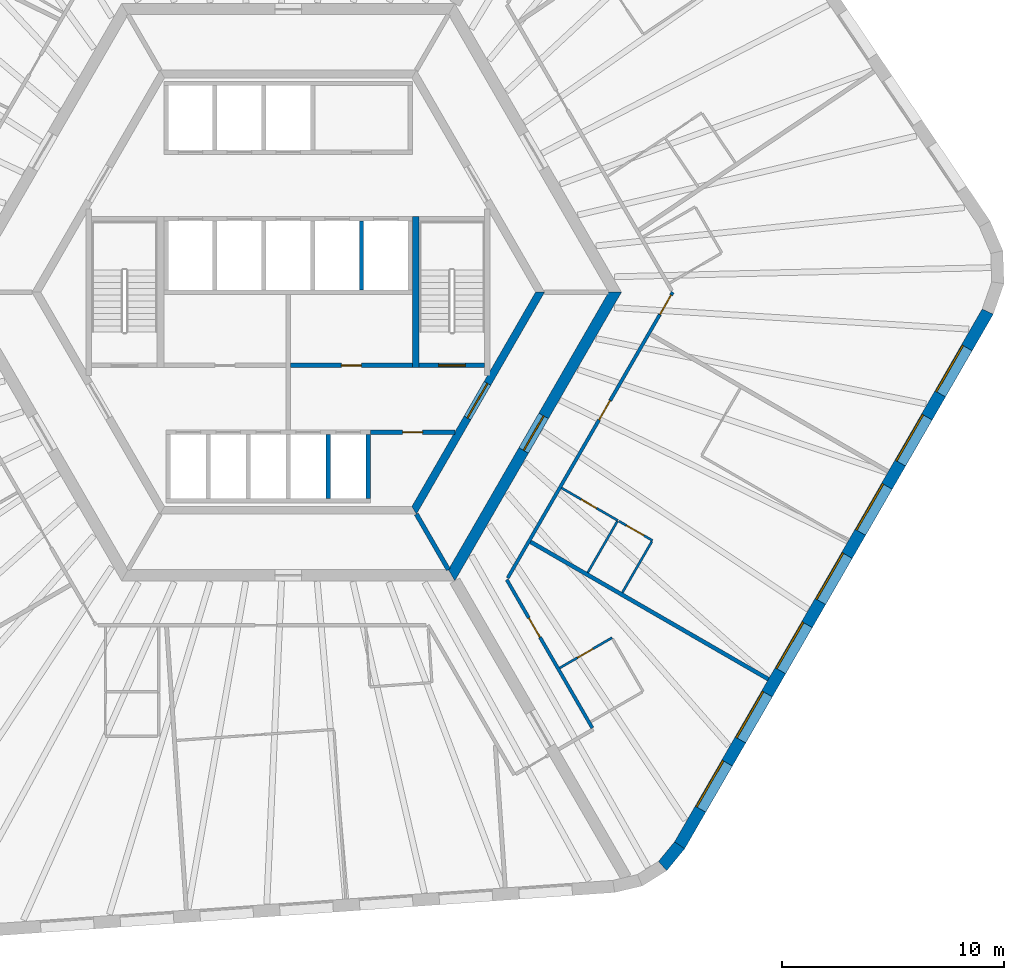
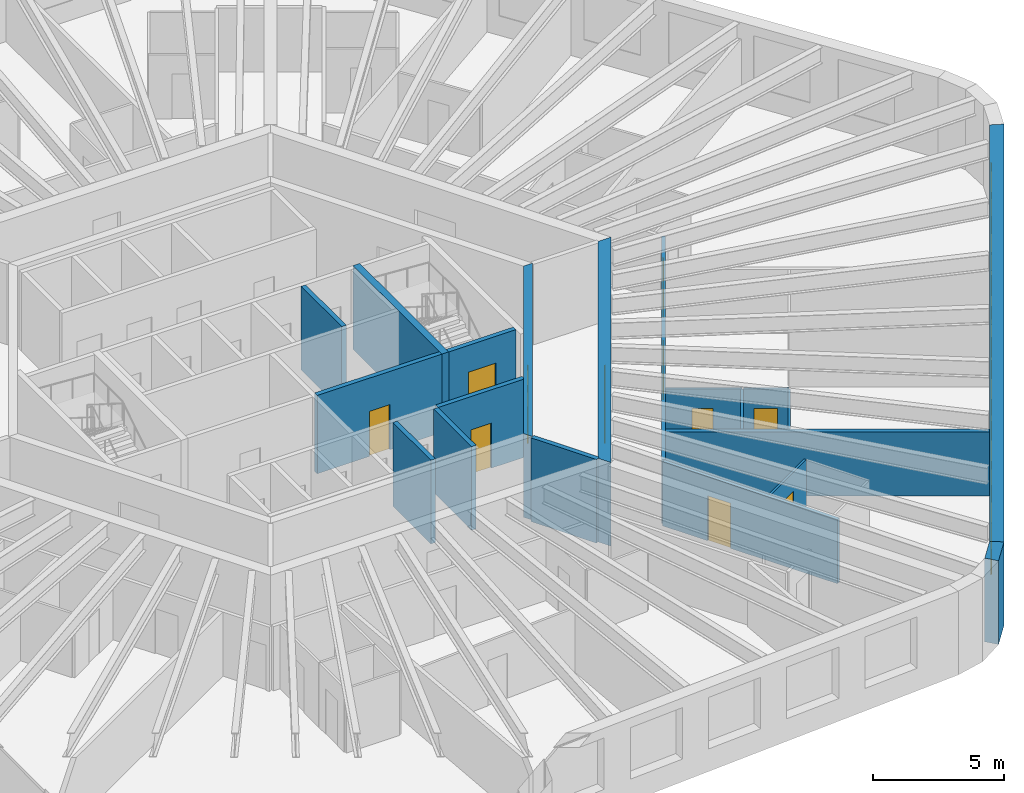
# One storey, part 5 of 10: 20 walls, 11 doors, 7 windows, 18 openings.
"""IFC4 building model written with IfcOpenShell, lengths in metres."""

from ifc_helpers import new_model, si_unit, direction, frame, frame_2d, origin, place, context, subcontext, project, spatial, polyline, rectangle, outline, extrude, material, layer, layer_set, type_object, element, fill, save


model = new_model("IFC4")

# Units and contexts
model_context = context("Model", 3, precision=1e-05, world=origin(), true_north=direction((0.0, 1.0)))
body_context = subcontext(model_context, "Body", "Model", "MODEL_VIEW")
ifc_project = project(units=[si_unit("LENGTHUNIT", "METRE"), si_unit("AREAUNIT", "SQUARE_METRE"), si_unit("VOLUMEUNIT", "CUBIC_METRE"), si_unit("PLANEANGLEUNIT", "RADIAN"), si_unit("MASSUNIT", "GRAM", prefix="KILO")], contexts=[model_context])

# Site, building, storey
site_placement = place(None, origin())
site = spatial("IfcSite", under=ifc_project, at=site_placement, CompositionType="ELEMENT")
building_placement = place(site_placement, origin())
building = spatial("IfcBuilding", under=site, at=building_placement, Name="Tarnside Tower", CompositionType="ELEMENT")
storey_placement = place(building_placement, frame((0.0, 0.0, 191.699951171875)))
storey = spatial("IfcBuildingStorey", under=building, at=storey_placement, Name="L45", CompositionType="ELEMENT", Elevation=191.699951171875)

# Wall, opening, door
ifc_material_1 = material(Name="Gypsum board partition on steel studs", Category="steel")
ifc_layer_1 = layer(ifc_material_1, 0.10009765625)
ifc_layer_set_1 = layer_set([ifc_layer_1], Name="Bathroom wall 100")
wall_type_1 = type_object("IfcWallType", Name="Bathroom wall 100", PredefinedType="PARTITIONING", material=ifc_layer_set_1)
wall_1_placement = place(storey_placement, frame((12.226806640625, -16.927490234375, 0.0), z_axis=(0.0, 0.0, 1.0), x_axis=(0.866012511928, 0.500022328685, 0.0)))
wall_1 = element("IfcWall", 1, at=wall_1_placement, inside=storey, type_object=wall_type_1, Name="Bathroom wall 14100", PredefinedType="PARTITIONING", context=body_context, shape_type="SweptSolid", body=[
    extrude(rectangle(XDim=2.72509765625, YDim=0.10009765625, at=frame_2d((1.362548828125, 0.0))), origin(), (0.0, 0.0, 1.0), 2.98779296875),
])
opening_1_placement = place(wall_1_placement, frame((0.925048828125, 0.0, 0.0)))
opening_1 = element("IfcOpeningElement", 2, at=opening_1_placement, cuts=wall_1, Name="Opening D-B1", PredefinedType="OPENING", context=body_context, shape_type="SweptSolid", body=[
    extrude(rectangle(XDim=0.800048828125, YDim=2.10009765625, at=frame_2d((0.39990234375, 1.050048828125))), frame((0.0, 0.06005859375, 0.0), z_axis=(0.0, -1.0, 0.0), x_axis=(1.0, 0.0, 0.0)), (0.0, 0.0, 1.0), 0.1201171875),
])
ifc_material_2 = material(Name="Timber door leaf", Category="wood")
door_type_1 = type_object("IfcDoorType", Name="Bathroom door 800", OperationType="NOTDEFINED", PredefinedType="DOOR", material=ifc_material_2)
door_1_placement = place(opening_1_placement, origin())
door_1 = element("IfcDoor", 3, at=door_1_placement, inside=storey, type_object=door_type_1, Name="Bathroom door 14026", OperationType="SINGLE_SWING_RIGHT", OverallHeight=2.10009765625, OverallWidth=0.800048828125, PredefinedType="DOOR", context=body_context, shape_type="SweptSolid", body=[
    extrude(rectangle(XDim=0.800048828125, YDim=2.10009765625, at=frame_2d((0.39990234375, 1.050048828125))), frame((0.0, 0.02490234375, 0.0), z_axis=(0.0, -1.0, 0.0), x_axis=(1.0, 0.0, 0.0)), (0.0, 0.0, 1.0), 0.050048828125),
])
fill(opening_1, door_1)

wall_2_placement = place(storey_placement, frame((12.314208984375, -8.821044921875, 0.0), z_axis=(0.0, 0.0, 1.0), x_axis=(0.866046596414, -0.499963291492, 0.0)))
wall_2 = element("IfcWall", 4, at=wall_2_placement, inside=storey, type_object=wall_type_1, Name="Bathroom wall 14106", PredefinedType="PARTITIONING", context=body_context, shape_type="SweptSolid", body=[
    extrude(rectangle(XDim=2.925048828125, YDim=0.10009765625, at=frame_2d((1.46240234375, 0.0))), origin(), (0.0, 0.0, 1.0), 2.98779296875),
])
opening_2_placement = place(wall_2_placement, frame((1.02490234375, 0.0, 0.0)))
opening_2 = element("IfcOpeningElement", 5, at=opening_2_placement, cuts=wall_2, Name="Opening D-B1", PredefinedType="OPENING", context=body_context, shape_type="SweptSolid", body=[
    extrude(rectangle(XDim=0.800048828125, YDim=2.10009765625, at=frame_2d((0.39990234375, 1.050048828125))), frame((0.0, 0.06005859375, 0.0), z_axis=(0.0, -1.0, 0.0), x_axis=(1.0, 0.0, 0.0)), (0.0, 0.0, 1.0), 0.1201171875),
])
door_2_placement = place(opening_2_placement, origin())
door_2 = element("IfcDoor", 6, at=door_2_placement, inside=storey, type_object=door_type_1, Name="Bathroom door 14028", OperationType="SINGLE_SWING_RIGHT", OverallHeight=2.10009765625, OverallWidth=0.800048828125, PredefinedType="DOOR", context=body_context, shape_type="SweptSolid", body=[
    extrude(rectangle(XDim=0.800048828125, YDim=2.10009765625, at=frame_2d((0.39990234375, 1.050048828125))), frame((0.0, 0.02490234375, 0.0), z_axis=(0.0, -1.0, 0.0), x_axis=(1.0, 0.0, 0.0)), (0.0, 0.0, 1.0), 0.050048828125),
])
fill(opening_2, door_2)

# Wall
wall_3_placement = place(storey_placement, frame((13.492431640625, -12.63037109375, 0.0), z_axis=(0.0, 0.0, 1.0), x_axis=(0.50004820116, 0.865997573043, 0.0)))
element("IfcWall", 7, at=wall_3_placement, inside=storey, type_object=wall_type_1, Name="Bathroom wall 14112", PredefinedType="PARTITIONING", context=body_context, shape_type="SweptSolid", body=[
    extrude(rectangle(XDim=2.659912109375, YDim=0.10009765625, at=frame_2d((1.330078125, 0.0))), origin(), (0.0, 0.0, 1.0), 2.98779296875),
])

# Wall, opening, door
ifc_material_3 = material(Name="Concrete C50/60", Category="concrete")
ifc_layer_2 = layer(ifc_material_3, 0.35009765625)
ifc_layer_set_2 = layer_set([ifc_layer_2], Name="Core block wall 350 C50/60")
wall_type_2 = type_object("IfcWallType", Name="Core block wall 350 C50/60", PredefinedType="SHEAR", material=ifc_layer_set_2)
wall_4_placement = place(storey_placement, frame((5.672607421875, -9.824951171875, -0.14990234375), z_axis=(0.0, 0.0, 1.0), x_axis=(0.499995046907, 0.866028263435, 0.0)))
wall_4 = element("IfcWall", 8, at=wall_4_placement, inside=storey, type_object=wall_type_2, Name="L45 core block wall face 5", PredefinedType="SHEAR", context=body_context, shape_type="SweptSolid", body=[
    extrude(outline(polyline([(-0.10107421875, -0.175048828125), (11.44580078125, -0.175048828125), (11.24365234375, 0.175048828125), (0.10107421875, 0.175048828125), (-0.10107421875, -0.175048828125)])), origin(), (0.0, 0.0, 1.0), 3.89990234375),
])
opening_3_placement = place(wall_4_placement, frame((4.80126953125, 0.0, 0.14990234375)))
opening_3 = element("IfcOpeningElement", 9, at=opening_3_placement, cuts=wall_4, Name="Opening CD-FFL", PredefinedType="OPENING", context=body_context, shape_type="SweptSolid", body=[
    extrude(rectangle(XDim=1.800048828125, YDim=2.39990234375, at=frame_2d((0.89990234375, 1.199951171875))), frame((0.0, 0.18505859375, 0.0), z_axis=(0.0, -1.0, 0.0), x_axis=(1.0, 0.0, 0.0)), (0.0, 0.0, 1.0), 0.3701171875),
])
ifc_material_4 = material(Name="Steel fire door", Category="steel")
door_type_2 = type_object("IfcDoorType", Name="Firefighting lobby double door FD60S 1800x2400", OperationType="NOTDEFINED", PredefinedType="DOOR", material=ifc_material_4)
door_3_placement = place(opening_3_placement, origin())
door_3 = element("IfcDoor", 10, at=door_3_placement, inside=storey, type_object=door_type_2, Name="L45 lobby block door P4", OperationType="DOUBLE_DOOR_SINGLE_SWING", OverallHeight=2.39990234375, OverallWidth=1.800048828125, PredefinedType="DOOR", context=body_context, shape_type="SweptSolid", body=[
    extrude(rectangle(XDim=1.800048828125, YDim=2.39990234375, at=frame_2d((0.89990234375, 1.199951171875))), frame((0.0, 0.02490234375, 0.0), z_axis=(0.0, -1.0, 0.0), x_axis=(1.0, 0.0, 0.0)), (0.0, 0.0, 1.0), 0.050048828125),
])
fill(opening_3, door_3)

ifc_material_5 = material(Name="Concrete C40/50", Category="concrete")
ifc_layer_3 = layer(ifc_material_5, 0.199951171875)
ifc_layer_set_3 = layer_set([ifc_layer_3], Name="Core room partition 200 C40/50")
wall_type_3 = type_object("IfcWallType", Name="Core room partition 200 C40/50", PredefinedType="PARTITIONING", material=ifc_layer_set_3)
wall_5_placement = place(storey_placement, frame((0.10009765625, -3.300048828125, 0.0), z_axis=(0.0, 0.0, 1.0), x_axis=(1.0, 0.0, 0.0)))
wall_5 = element("IfcWall", 11, at=wall_5_placement, inside=storey, type_object=wall_type_3, Name="L45 core partition R3S1", PredefinedType="PARTITIONING", context=body_context, shape_type="SweptSolid", body=[
    extrude(rectangle(XDim=5.5, YDim=0.199951171875, at=frame_2d((2.75, 0.0))), origin(), (0.0, 0.0, 1.0), 3.650146484375),
])
opening_4_placement = place(wall_5_placement, frame((2.300048828125, 0.0, 0.0)))
opening_4 = element("IfcOpeningElement", 12, at=opening_4_placement, cuts=wall_5, Name="Opening CD-room", PredefinedType="OPENING", context=body_context, shape_type="SweptSolid", body=[
    extrude(rectangle(XDim=0.89990234375, YDim=2.10009765625, at=frame_2d((0.449951171875, 1.050048828125))), frame((0.0, 0.10986328125, 0.0), z_axis=(0.0, -1.0, 0.0), x_axis=(1.0, 0.0, 0.0)), (0.0, 0.0, 1.0), 0.219970703125),
])
door_type_3 = type_object("IfcDoorType", Name="Room door FD60 900x2100", OperationType="NOTDEFINED", PredefinedType="DOOR", material=ifc_material_4)
door_4_placement = place(opening_4_placement, origin())
door_4 = element("IfcDoor", 13, at=door_4_placement, inside=storey, type_object=door_type_3, Name="L45 core room door SR1", OperationType="SINGLE_SWING_LEFT", OverallHeight=2.10009765625, OverallWidth=0.89990234375, PredefinedType="DOOR", context=body_context, shape_type="SweptSolid", body=[
    extrude(rectangle(XDim=0.89990234375, YDim=2.10009765625, at=frame_2d((0.449951171875, 1.050048828125))), frame((0.0, 0.02490234375, 0.0), z_axis=(0.0, -1.0, 0.0), x_axis=(1.0, 0.0, 0.0)), (0.0, 0.0, 1.0), 0.050048828125),
])
fill(opening_4, door_4)

wall_6_placement = place(storey_placement, frame((3.699951171875, -6.300048828125, 0.0), z_axis=(0.0, 0.0, 1.0), x_axis=(1.0, 0.0, 0.0)))
wall_6 = element("IfcWall", 14, at=wall_6_placement, inside=storey, type_object=wall_type_3, Name="L45 core partition R4X", PredefinedType="PARTITIONING", context=body_context, shape_type="SweptSolid", body=[
    extrude(rectangle(XDim=3.8056640625, YDim=0.199951171875, at=frame_2d((1.90283203125, 0.0))), origin(), (0.0, 0.0, 1.0), 3.650146484375),
])
opening_5_placement = place(wall_6_placement, frame((1.452880859375, 0.0, 0.0)))
opening_5 = element("IfcOpeningElement", 15, at=opening_5_placement, cuts=wall_6, Name="Opening CD-room", PredefinedType="OPENING", context=body_context, shape_type="SweptSolid", body=[
    extrude(rectangle(XDim=0.89990234375, YDim=2.10009765625, at=frame_2d((0.449951171875, 1.050048828125))), frame((0.0, 0.10986328125, 0.0), z_axis=(0.0, -1.0, 0.0), x_axis=(1.0, 0.0, 0.0)), (0.0, 0.0, 1.0), 0.219970703125),
])
door_5_placement = place(opening_5_placement, origin())
door_5 = element("IfcDoor", 16, at=door_5_placement, inside=storey, type_object=door_type_3, Name="L45 core room door RX", OperationType="SINGLE_SWING_LEFT", OverallHeight=2.10009765625, OverallWidth=0.89990234375, PredefinedType="DOOR", context=body_context, shape_type="SweptSolid", body=[
    extrude(rectangle(XDim=0.89990234375, YDim=2.10009765625, at=frame_2d((0.449951171875, 1.050048828125))), frame((0.0, 0.02490234375, 0.0), z_axis=(0.0, -1.0, 0.0), x_axis=(1.0, 0.0, 0.0)), (0.0, 0.0, 1.0), 0.050048828125),
])
fill(opening_5, door_5)

ifc_material_6 = material(Name="Concrete C70/85", Category="concrete")
ifc_layer_4 = layer(ifc_material_6, 0.5)
ifc_layer_set_4 = layer_set([ifc_layer_4], Name="Core wall Z2 500 C70/85")
wall_type_4 = type_object("IfcWallType", Name="Core wall Z2 500 C70/85", PredefinedType="SHEAR", material=ifc_layer_set_4)
wall_7_placement = place(storey_placement, frame((7.361083984375, -12.75, -0.14990234375), z_axis=(0.0, 0.0, 1.0), x_axis=(0.50000571537, 0.866022103989, 0.0)))
wall_7 = element("IfcWall", 17, at=wall_7_placement, inside=storey, type_object=wall_type_4, Name="L45 core wall face 5", PredefinedType="SHEAR", context=body_context, shape_type="SweptSolid", body=[
    extrude(outline(polyline([(-0.144287109375, -0.25), (14.86669921875, -0.25), (14.578125, 0.25), (0.144287109375, 0.25), (-0.144287109375, -0.25)])), origin(), (0.0, 0.0, 1.0), 3.89990234375),
])
opening_6_placement = place(wall_7_placement, frame((6.489990234375, 0.0, 0.14990234375)))
opening_6 = element("IfcOpeningElement", 18, at=opening_6_placement, cuts=wall_7, Name="Opening CD-FFL", PredefinedType="OPENING", context=body_context, shape_type="SweptSolid", body=[
    extrude(rectangle(XDim=1.800048828125, YDim=2.39990234375, at=frame_2d((0.89990234375, 1.199951171875))), frame((0.0, 0.260009765625, 0.0), z_axis=(0.0, -1.0, 0.0), x_axis=(1.0, 0.0, 0.0)), (0.0, 0.0, 1.0), 0.52001953125),
])
door_6_placement = place(opening_6_placement, origin())
door_6 = element("IfcDoor", 19, at=door_6_placement, inside=storey, type_object=door_type_2, Name="L45 core door P4", OperationType="DOUBLE_DOOR_SINGLE_SWING", OverallHeight=2.39990234375, OverallWidth=1.800048828125, PredefinedType="DOOR", context=body_context, shape_type="SweptSolid", body=[
    extrude(rectangle(XDim=1.800048828125, YDim=2.39990234375, at=frame_2d((0.89990234375, 1.199951171875))), frame((0.0, 0.02490234375, 0.0), z_axis=(0.0, -1.0, 0.0), x_axis=(1.0, 0.0, 0.0)), (0.0, 0.0, 1.0), 0.050048828125),
])
fill(opening_6, door_6)

ifc_layer_5 = layer(ifc_material_1, 0.14990234375)
ifc_layer_set_5 = layer_set([ifc_layer_5], Name="Corridor wall 150 EI 60")
wall_type_5 = type_object("IfcWallType", Name="Corridor wall 150 EI 60", PredefinedType="PARTITIONING", material=ifc_layer_set_5)
wall_8_placement = place(storey_placement, frame((13.69921875, -19.6279296875, 0.0), z_axis=(0.0, 0.0, 1.0), x_axis=(-0.499993780622, 0.866028994514, 0.0)))
wall_8 = element("IfcWall", 20, at=wall_8_placement, inside=storey, type_object=wall_type_5, Name="Corridor wall 14035", PredefinedType="PARTITIONING", context=body_context, shape_type="SweptSolid", body=[
    extrude(rectangle(XDim=7.7109375, YDim=0.14990234375, at=frame_2d((3.85546875, 0.0))), origin(), (0.0, 0.0, 1.0), 2.98779296875),
])
opening_7_placement = place(wall_8_placement, frame((4.718017578125, 0.0, 0.0)))
opening_7 = element("IfcOpeningElement", 21, at=opening_7_placement, cuts=wall_8, Name="Opening D-E1", PredefinedType="OPENING", context=body_context, shape_type="SweptSolid", body=[
    extrude(rectangle(XDim=1.0, YDim=2.10009765625, at=frame_2d((0.5, 1.050048828125))), frame((0.0, 0.0849609375, 0.0), z_axis=(0.0, -1.0, 0.0), x_axis=(1.0, 0.0, 0.0)), (0.0, 0.0, 1.0), 0.169921875),
])
door_type_4 = type_object("IfcDoorType", Name="Unit entrance door 1000 FD30S", OperationType="NOTDEFINED", PredefinedType="DOOR", material=ifc_material_2)
door_7_placement = place(opening_7_placement, origin())
door_7 = element("IfcDoor", 22, at=door_7_placement, inside=storey, type_object=door_type_4, Name="Unit door 14025", OperationType="SINGLE_SWING_LEFT", OverallHeight=2.10009765625, OverallWidth=1.0, PredefinedType="DOOR", context=body_context, shape_type="SweptSolid", body=[
    extrude(rectangle(XDim=1.0, YDim=2.10009765625, at=frame_2d((0.5, 1.050048828125))), frame((0.0, 0.02490234375, 0.0), z_axis=(0.0, -1.0, 0.0), x_axis=(1.0, 0.0, 0.0)), (0.0, 0.0, 1.0), 0.050048828125),
])
fill(opening_7, door_7)

# Wall, openings, doors
wall_9_placement = place(storey_placement, frame((9.88720703125, -12.875, 0.0), z_axis=(0.0, 0.0, 1.0), x_axis=(0.499998228944, 0.866026426302, 0.0)))
wall_9 = element("IfcWall", 23, at=wall_9_placement, inside=storey, type_object=wall_type_5, Name="Corridor wall 14036", PredefinedType="PARTITIONING", context=body_context, shape_type="SweptSolid", body=[
    extrude(rectangle(XDim=14.86669921875, YDim=0.14990234375, at=frame_2d((7.433349609375, 0.0))), origin(), (0.0, 0.0, 1.0), 2.98779296875),
])
opening_8_placement = place(wall_9_placement, frame((8.224365234375, 0.0, 0.0)))
opening_8 = element("IfcOpeningElement", 24, at=opening_8_placement, cuts=wall_9, Name="Opening D-E1", PredefinedType="OPENING", context=body_context, shape_type="SweptSolid", body=[
    extrude(rectangle(XDim=1.0, YDim=2.10009765625, at=frame_2d((0.5, 1.050048828125))), frame((0.0, 0.0849609375, 0.0), z_axis=(0.0, -1.0, 0.0), x_axis=(1.0, 0.0, 0.0)), (0.0, 0.0, 1.0), 0.169921875),
])
opening_9_placement = place(wall_9_placement, frame((13.716796875, 0.0, 0.0)))
opening_9 = element("IfcOpeningElement", 25, at=opening_9_placement, cuts=wall_9, Name="Opening D-E1", PredefinedType="OPENING", context=body_context, shape_type="SweptSolid", body=[
    extrude(rectangle(XDim=1.0, YDim=2.10009765625, at=frame_2d((0.5, 1.050048828125))), frame((0.0, 0.0849609375, 0.0), z_axis=(0.0, -1.0, 0.0), x_axis=(1.0, 0.0, 0.0)), (0.0, 0.0, 1.0), 0.169921875),
])
door_8_placement = place(opening_8_placement, origin())
door_8 = element("IfcDoor", 26, at=door_8_placement, inside=storey, type_object=door_type_4, Name="Unit door 14027", OperationType="SINGLE_SWING_LEFT", OverallHeight=2.10009765625, OverallWidth=1.0, PredefinedType="DOOR", context=body_context, shape_type="SweptSolid", body=[
    extrude(rectangle(XDim=1.0, YDim=2.10009765625, at=frame_2d((0.5, 1.050048828125))), frame((0.0, 0.02490234375, 0.0), z_axis=(0.0, -1.0, 0.0), x_axis=(1.0, 0.0, 0.0)), (0.0, 0.0, 1.0), 0.050048828125),
])
fill(opening_8, door_8)
door_9_placement = place(opening_9_placement, origin())
door_9 = element("IfcDoor", 27, at=door_9_placement, inside=storey, type_object=door_type_4, Name="Unit door 14031", OperationType="SINGLE_SWING_LEFT", OverallHeight=2.10009765625, OverallWidth=1.0, PredefinedType="DOOR", context=body_context, shape_type="SweptSolid", body=[
    extrude(rectangle(XDim=1.0, YDim=2.10009765625, at=frame_2d((0.5, 1.050048828125))), frame((0.0, 0.02490234375, 0.0), z_axis=(0.0, -1.0, 0.0), x_axis=(1.0, 0.0, 0.0)), (0.0, 0.0, 1.0), 0.050048828125),
])
fill(opening_9, door_9)

# Walls
ifc_layer_6 = layer(ifc_material_1, 0.179931640625)
ifc_layer_set_6 = layer_set([ifc_layer_6], Name="Demising wall 180 EI 60")
wall_type_6 = type_object("IfcWallType", Name="Demising wall 180 EI 60", PredefinedType="PARTITIONING", material=ifc_layer_set_6)
wall_10_placement = place(storey_placement, frame((21.63134765625, -17.433349609375, 0.0), z_axis=(0.0, 0.0, 1.0), x_axis=(-0.866024931941, 0.500000817256, 0.0)))
element("IfcWall", 28, at=wall_10_placement, inside=storey, type_object=wall_type_6, Name="Demising wall 14103", PredefinedType="PARTITIONING", context=body_context, shape_type="SweptSolid", body=[
    extrude(rectangle(XDim=12.375, YDim=0.179931640625, at=frame_2d((6.1875, 0.0))), origin(), (0.0, 0.0, 1.0), 2.98779296875),
])
ifc_layer_7 = layer(ifc_material_5, 0.199951171875)
ifc_layer_set_7 = layer_set([ifc_layer_7], Name="Lift shaft wall 200 C40/50")
wall_type_7 = type_object("IfcWallType", Name="Lift shaft wall 200 C40/50", PredefinedType="SHEAR", material=ifc_layer_set_7)
wall_11_placement = place(storey_placement, frame((3.300048828125, 0.10009765625, -0.25), z_axis=(0.0, 0.0, 1.0), x_axis=(0.0, 1.0, 0.0)))
element("IfcWall", 29, at=wall_11_placement, inside=storey, type_object=wall_type_7, Name="L45 lift shaft partition R25", PredefinedType="SHEAR", context=body_context, shape_type="SweptSolid", body=[
    extrude(rectangle(XDim=3.099853515625, YDim=0.199951171875, at=frame_2d((1.5498046875, 0.0))), origin(), (0.0, 0.0, 1.0), 3.900146484375),
])
for number, where, z_axis, x_axis, name in (
    (30, (1.800048828125, -9.300048828125, -0.25), (0.0, 0.0, 1.0), (0.0, 1.0, 0.0), "L45 lift shaft partition R45"),
    (31, (3.60009765625, -9.300048828125, -0.25), (0.0, 0.0, 1.0), (0.0, 1.0, 0.0), "L45 lift shaft partition R46"),
):
    element("IfcWall", number, at=place(storey_placement, frame(where, z_axis=z_axis, x_axis=x_axis)), inside=storey, type_object=wall_type_7, Name=name, PredefinedType="SHEAR", context=body_context, shape_type="SweptSolid", body=[
        extrude(rectangle(XDim=2.900146484375, YDim=0.199951171875, at=frame_2d((1.4501953125, 0.0))), origin(), (0.0, 0.0, 1.0), 3.900146484375),
    ])
wall_12_placement = place(storey_placement, frame((5.7734375, -10.0, -0.14990234375), z_axis=(0.0, 0.0, 1.0), x_axis=(0.499995765644, -0.866027848477, 0.0)))
element("IfcWall", 32, at=wall_12_placement, inside=storey, type_object=wall_type_7, Name="L45 core partition AR300", PredefinedType="SHEAR", context=body_context, shape_type="SweptSolid", body=[
    extrude(rectangle(XDim=2.88671875, YDim=0.199951171875, at=frame_2d((1.443359375, 0.0))), origin(), (0.0, 0.0, 1.0), 3.89990234375),
])

# Wall, opening, door
wall_13_placement = place(storey_placement, frame((5.89990234375, -3.300048828125, -0.25), z_axis=(0.0, 0.0, 1.0), x_axis=(1.0, 0.0, 0.0)))
wall_13 = element("IfcWall", 33, at=wall_13_placement, inside=storey, type_object=wall_type_7, Name="L45 stair 1 enclosure cap wall s", PredefinedType="SHEAR", context=body_context, shape_type="SweptSolid", body=[
    extrude(rectangle(XDim=2.9501953125, YDim=0.199951171875, at=frame_2d((1.47509765625, 0.0))), origin(), (0.0, 0.0, 1.0), 3.900146484375),
])
opening_10_placement = place(wall_13_placement, frame((0.875, 0.0, 0.25)))
opening_10 = element("IfcOpeningElement", 34, at=opening_10_placement, cuts=wall_13, Name="Opening CD-STR", PredefinedType="OPENING", context=body_context, shape_type="SweptSolid", body=[
    extrude(rectangle(XDim=1.199951171875, YDim=2.39990234375, at=frame_2d((0.60009765625, 1.199951171875))), frame((0.0, 0.10986328125, 0.0), z_axis=(0.0, -1.0, 0.0), x_axis=(1.0, 0.0, 0.0)), (0.0, 0.0, 1.0), 0.219970703125),
])
door_type_5 = type_object("IfcDoorType", Name="Stair door FD60S 1200x2400", OperationType="NOTDEFINED", PredefinedType="DOOR", material=ifc_material_4)
door_10_placement = place(opening_10_placement, origin())
door_10 = element("IfcDoor", 35, at=door_10_placement, inside=storey, type_object=door_type_5, Name="L45 stair 1 door", OperationType="SINGLE_SWING_LEFT", OverallHeight=2.39990234375, OverallWidth=1.199951171875, PredefinedType="DOOR", context=body_context, shape_type="SweptSolid", body=[
    extrude(rectangle(XDim=1.199951171875, YDim=2.39990234375, at=frame_2d((0.60009765625, 1.199951171875))), frame((0.0, 0.02490234375, 0.0), z_axis=(0.0, -1.0, 0.0), x_axis=(1.0, 0.0, 0.0)), (0.0, 0.0, 1.0), 0.050048828125),
])
fill(opening_10, door_10)

ifc_layer_8 = layer(ifc_material_1, 0.10009765625)
ifc_layer_set_8 = layer_set([ifc_layer_8], Name="Partition 100")
wall_type_8 = type_object("IfcWallType", Name="Partition 100", PredefinedType="PARTITIONING", material=ifc_layer_set_8)
wall_14_placement = place(storey_placement, frame((14.890625, -10.30859375, 0.0), z_axis=(0.0, 0.0, 1.0), x_axis=(0.866036909293, -0.499980071345, 0.0)))
wall_14 = element("IfcWall", 36, at=wall_14_placement, inside=storey, type_object=wall_type_8, Name="Partition wall 14107", PredefinedType="PARTITIONING", context=body_context, shape_type="SweptSolid", body=[
    extrude(rectangle(XDim=1.75, YDim=0.10009765625, at=frame_2d((0.875, 0.0))), origin(), (0.0, 0.0, 1.0), 2.98779296875),
])
opening_11_placement = place(wall_14_placement, frame((0.39990234375, 0.0, 0.0)))
opening_11 = element("IfcOpeningElement", 37, at=opening_11_placement, cuts=wall_14, Name="Opening D-I1", PredefinedType="OPENING", context=body_context, shape_type="SweptSolid", body=[
    extrude(rectangle(XDim=0.89990234375, YDim=2.10009765625, at=frame_2d((0.449951171875, 1.050048828125))), frame((0.0, 0.06005859375, 0.0), z_axis=(0.0, -1.0, 0.0), x_axis=(1.0, 0.0, 0.0)), (0.0, 0.0, 1.0), 0.1201171875),
])
door_type_6 = type_object("IfcDoorType", Name="Internal door 900", OperationType="NOTDEFINED", PredefinedType="DOOR", material=ifc_material_2)
door_11_placement = place(opening_11_placement, origin())
door_11 = element("IfcDoor", 38, at=door_11_placement, inside=storey, type_object=door_type_6, Name="Internal door 14029", OperationType="SINGLE_SWING_RIGHT", OverallHeight=2.10009765625, OverallWidth=0.89990234375, PredefinedType="DOOR", context=body_context, shape_type="SweptSolid", body=[
    extrude(rectangle(XDim=0.89990234375, YDim=2.10009765625, at=frame_2d((0.449951171875, 1.050048828125))), frame((0.0, 0.02490234375, 0.0), z_axis=(0.0, -1.0, 0.0), x_axis=(1.0, 0.0, 0.0)), (0.0, 0.0, 1.0), 0.050048828125),
])
fill(opening_11, door_11)

# Walls
wall_15_placement = place(storey_placement, frame((16.38134765625, -11.226806640625, 0.0), z_axis=(0.0, 0.0, 1.0), x_axis=(-0.500008456887, -0.866020521143, 0.0)))
element("IfcWall", 39, at=wall_15_placement, inside=storey, type_object=wall_type_8, Name="Partition wall 14108", PredefinedType="PARTITIONING", context=body_context, shape_type="SweptSolid", body=[
    extrude(rectangle(XDim=2.66015625, YDim=0.10009765625, at=frame_2d((1.330078125, 0.0))), origin(), (0.0, 0.0, 1.0), 2.98779296875),
])
ifc_layer_9 = layer(ifc_material_5, 0.300048828125)
ifc_layer_set_9 = layer_set([ifc_layer_9], Name="Stair enclosure wall 300 C40/50")
wall_type_9 = type_object("IfcWallType", Name="Stair enclosure wall 300 C40/50", PredefinedType="SHEAR", material=ifc_layer_set_9)
wall_16_placement = place(storey_placement, frame((5.75, -3.39990234375, -0.25), z_axis=(0.0, 0.0, 1.0), x_axis=(0.0, 1.0, 0.0)))
element("IfcWall", 40, at=wall_16_placement, inside=storey, type_object=wall_type_9, Name="L45 stair 1 enclosure wall inner", PredefinedType="SHEAR", context=body_context, shape_type="SweptSolid", body=[
    extrude(rectangle(XDim=6.7998046875, YDim=0.300048828125, at=frame_2d((3.39990234375, 0.0))), origin(), (0.0, 0.0, 1.0), 3.900146484375),
])
ifc_material_7 = material(Name="Facing brick", Category="masonry")
ifc_layer_10 = layer(ifc_material_7, 0.10205078125)
ifc_material_8 = material(Name="Concrete C60/75 precast", Category="concrete")
ifc_layer_11 = layer(ifc_material_8, 0.347900390625)
ifc_material_9 = material(Name="Mineral wool insulation")
ifc_layer_12 = layer(ifc_material_9, 0.10009765625)
ifc_layer_set_10 = layer_set([ifc_layer_10, ifc_layer_11, ifc_layer_12], Name="Tube wall 550 brick faced")
wall_type_10 = type_object("IfcWallType", Name="Tube wall 550 brick faced", PredefinedType="SOLIDWALL", material=ifc_layer_set_10)
wall_17_placement = place(storey_placement, frame((16.8642578125, -25.848388671875, -0.14990234375), z_axis=(0.0, 0.0, 1.0), x_axis=(0.633842757806, 0.773461930787, 0.0)))
element("IfcWall", 41, at=wall_17_placement, inside=storey, type_object=wall_type_10, Name="Tube wall L45 F4 chord 15", PredefinedType="SOLIDWALL", context=body_context, shape_type="SweptSolid", body=[
    extrude(outline(polyline([(-0.045166015625, -0.27490234375), (1.230712890625, -0.27490234375), (1.185791015625, 0.27490234375), (0.045166015625, 0.27490234375), (-0.045166015625, -0.27490234375)])), origin(), (0.0, 0.0, 1.0), 3.89990234375),
])

# Wall, openings, windows
wall_18_placement = place(storey_placement, frame((17.630126953125, -24.913818359375, -0.14990234375), z_axis=(0.0, 0.0, 1.0), x_axis=(0.499998569178, 0.866026229868, 0.0)))
wall_18 = element("IfcWall", 42, at=wall_18_placement, inside=storey, type_object=wall_type_10, Name="Tube wall L45 F5 flush 16", PredefinedType="SOLIDWALL", context=body_context, shape_type="SweptSolid", body=[
    extrude(outline(polyline([(-0.0224609375, -0.27490234375), (27.783447265625, -0.27490234375), (27.732177734375, 0.27490234375), (0.0224609375, 0.27490234375), (-0.0224609375, -0.27490234375)])), origin(), (0.0, 0.0, 1.0), 3.89990234375),
])
opening_12_placement = place(wall_18_placement, frame((1.87890625, 0.0, 1.050048828125)))
opening_12 = element("IfcOpeningElement", 43, at=opening_12_placement, cuts=wall_18, Name="Opening WH", PredefinedType="OPENING", context=body_context, shape_type="SweptSolid", body=[
    extrude(rectangle(XDim=2.39990234375, YDim=2.39990234375, at=frame_2d((1.199951171875, 1.199951171875))), frame((0.0, 0.28515625, 0.0), z_axis=(0.0, -1.0, 0.0), x_axis=(1.0, 0.0, 0.0)), (0.0, 0.0, 1.0), 0.570068359375),
])
opening_13_placement = place(wall_18_placement, frame((5.47900390625, 0.0, 1.050048828125)))
opening_13 = element("IfcOpeningElement", 44, at=opening_13_placement, cuts=wall_18, Name="Opening WH", PredefinedType="OPENING", context=body_context, shape_type="SweptSolid", body=[
    extrude(rectangle(XDim=2.39990234375, YDim=2.39990234375, at=frame_2d((1.199951171875, 1.199951171875))), frame((0.0, 0.28515625, 0.0), z_axis=(0.0, -1.0, 0.0), x_axis=(1.0, 0.0, 0.0)), (0.0, 0.0, 1.0), 0.570068359375),
])
opening_14_placement = place(wall_18_placement, frame((9.078857421875, 0.0, 1.050048828125)))
opening_14 = element("IfcOpeningElement", 45, at=opening_14_placement, cuts=wall_18, Name="Opening WH", PredefinedType="OPENING", context=body_context, shape_type="SweptSolid", body=[
    extrude(rectangle(XDim=2.39990234375, YDim=2.39990234375, at=frame_2d((1.199951171875, 1.199951171875))), frame((0.0, 0.28515625, 0.0), z_axis=(0.0, -1.0, 0.0), x_axis=(1.0, 0.0, 0.0)), (0.0, 0.0, 1.0), 0.570068359375),
])
opening_15_placement = place(wall_18_placement, frame((12.678955078125, 0.0, 1.050048828125)))
opening_15 = element("IfcOpeningElement", 46, at=opening_15_placement, cuts=wall_18, Name="Opening WH", PredefinedType="OPENING", context=body_context, shape_type="SweptSolid", body=[
    extrude(rectangle(XDim=2.39990234375, YDim=2.39990234375, at=frame_2d((1.199951171875, 1.199951171875))), frame((0.0, 0.28515625, 0.0), z_axis=(0.0, -1.0, 0.0), x_axis=(1.0, 0.0, 0.0)), (0.0, 0.0, 1.0), 0.570068359375),
])
opening_16_placement = place(wall_18_placement, frame((16.27880859375, 0.0, 1.050048828125)))
opening_16 = element("IfcOpeningElement", 47, at=opening_16_placement, cuts=wall_18, Name="Opening WH", PredefinedType="OPENING", context=body_context, shape_type="SweptSolid", body=[
    extrude(rectangle(XDim=2.39990234375, YDim=2.39990234375, at=frame_2d((1.199951171875, 1.199951171875))), frame((0.0, 0.28515625, 0.0), z_axis=(0.0, -1.0, 0.0), x_axis=(1.0, 0.0, 0.0)), (0.0, 0.0, 1.0), 0.570068359375),
])
opening_17_placement = place(wall_18_placement, frame((19.87890625, 0.0, 1.050048828125)))
opening_17 = element("IfcOpeningElement", 48, at=opening_17_placement, cuts=wall_18, Name="Opening WH", PredefinedType="OPENING", context=body_context, shape_type="SweptSolid", body=[
    extrude(rectangle(XDim=2.39990234375, YDim=2.39990234375, at=frame_2d((1.199951171875, 1.199951171875))), frame((0.0, 0.28515625, 0.0), z_axis=(0.0, -1.0, 0.0), x_axis=(1.0, 0.0, 0.0)), (0.0, 0.0, 1.0), 0.570068359375),
])
opening_18_placement = place(wall_18_placement, frame((23.47900390625, 0.0, 1.050048828125)))
opening_18 = element("IfcOpeningElement", 49, at=opening_18_placement, cuts=wall_18, Name="Opening WH", PredefinedType="OPENING", context=body_context, shape_type="SweptSolid", body=[
    extrude(rectangle(XDim=2.39990234375, YDim=2.39990234375, at=frame_2d((1.199951171875, 1.199951171875))), frame((0.0, 0.28515625, 0.0), z_axis=(0.0, -1.0, 0.0), x_axis=(1.0, 0.0, 0.0)), (0.0, 0.0, 1.0), 0.570068359375),
])
ifc_material_10 = material(Name="Aluminium-framed double glazing", Category="aluminium")
window_type = type_object("IfcWindowType", Name="Hotel window 2400 x 2400", PartitioningType="DOUBLE_PANEL_VERTICAL", PredefinedType="WINDOW", material=ifc_material_10)
window_1_placement = place(opening_12_placement, frame((0.0, 0.205078125, 0.0)))
window_1 = element("IfcWindow", 50, at=window_1_placement, inside=storey, type_object=window_type, Name="E.WN.L45.F5.00", OverallHeight=2.39990234375, OverallWidth=2.39990234375, PartitioningType="DOUBLE_PANEL_VERTICAL", PredefinedType="WINDOW", context=body_context, shape_type="SweptSolid", body=[
    extrude(rectangle(XDim=2.39990234375, YDim=2.39990234375, at=frame_2d((1.199951171875, 1.199951171875))), frame((0.0, 0.030029296875, 0.0), z_axis=(0.0, -1.0, 0.0), x_axis=(1.0, 0.0, 0.0)), (0.0, 0.0, 1.0), 0.06005859375),
])
fill(opening_12, window_1)
window_2_placement = place(opening_13_placement, frame((0.0, 0.205078125, 0.0)))
window_2 = element("IfcWindow", 51, at=window_2_placement, inside=storey, type_object=window_type, Name="E.WN.L45.F5.01", OverallHeight=2.39990234375, OverallWidth=2.39990234375, PartitioningType="DOUBLE_PANEL_VERTICAL", PredefinedType="WINDOW", context=body_context, shape_type="SweptSolid", body=[
    extrude(rectangle(XDim=2.39990234375, YDim=2.39990234375, at=frame_2d((1.199951171875, 1.199951171875))), frame((0.0, 0.030029296875, 0.0), z_axis=(0.0, -1.0, 0.0), x_axis=(1.0, 0.0, 0.0)), (0.0, 0.0, 1.0), 0.06005859375),
])
fill(opening_13, window_2)
window_3_placement = place(opening_14_placement, frame((0.0, 0.205078125, 0.0)))
window_3 = element("IfcWindow", 52, at=window_3_placement, inside=storey, type_object=window_type, Name="E.WN.L45.F5.02", OverallHeight=2.39990234375, OverallWidth=2.39990234375, PartitioningType="DOUBLE_PANEL_VERTICAL", PredefinedType="WINDOW", context=body_context, shape_type="SweptSolid", body=[
    extrude(rectangle(XDim=2.39990234375, YDim=2.39990234375, at=frame_2d((1.199951171875, 1.199951171875))), frame((0.0, 0.030029296875, 0.0), z_axis=(0.0, -1.0, 0.0), x_axis=(1.0, 0.0, 0.0)), (0.0, 0.0, 1.0), 0.06005859375),
])
fill(opening_14, window_3)
window_4_placement = place(opening_15_placement, frame((0.0, 0.205078125, 0.0)))
window_4 = element("IfcWindow", 53, at=window_4_placement, inside=storey, type_object=window_type, Name="E.WN.L45.F5.03", OverallHeight=2.39990234375, OverallWidth=2.39990234375, PartitioningType="DOUBLE_PANEL_VERTICAL", PredefinedType="WINDOW", context=body_context, shape_type="SweptSolid", body=[
    extrude(rectangle(XDim=2.39990234375, YDim=2.39990234375, at=frame_2d((1.199951171875, 1.199951171875))), frame((0.0, 0.030029296875, 0.0), z_axis=(0.0, -1.0, 0.0), x_axis=(1.0, 0.0, 0.0)), (0.0, 0.0, 1.0), 0.06005859375),
])
fill(opening_15, window_4)
window_5_placement = place(opening_16_placement, frame((0.0, 0.205078125, 0.0)))
window_5 = element("IfcWindow", 54, at=window_5_placement, inside=storey, type_object=window_type, Name="E.WN.L45.F5.04", OverallHeight=2.39990234375, OverallWidth=2.39990234375, PartitioningType="DOUBLE_PANEL_VERTICAL", PredefinedType="WINDOW", context=body_context, shape_type="SweptSolid", body=[
    extrude(rectangle(XDim=2.39990234375, YDim=2.39990234375, at=frame_2d((1.199951171875, 1.199951171875))), frame((0.0, 0.030029296875, 0.0), z_axis=(0.0, -1.0, 0.0), x_axis=(1.0, 0.0, 0.0)), (0.0, 0.0, 1.0), 0.06005859375),
])
fill(opening_16, window_5)
window_6_placement = place(opening_17_placement, frame((0.0, 0.205078125, 0.0)))
window_6 = element("IfcWindow", 55, at=window_6_placement, inside=storey, type_object=window_type, Name="E.WN.L45.F5.05", OverallHeight=2.39990234375, OverallWidth=2.39990234375, PartitioningType="DOUBLE_PANEL_VERTICAL", PredefinedType="WINDOW", context=body_context, shape_type="SweptSolid", body=[
    extrude(rectangle(XDim=2.39990234375, YDim=2.39990234375, at=frame_2d((1.199951171875, 1.199951171875))), frame((0.0, 0.030029296875, 0.0), z_axis=(0.0, -1.0, 0.0), x_axis=(1.0, 0.0, 0.0)), (0.0, 0.0, 1.0), 0.06005859375),
])
fill(opening_17, window_6)
window_7_placement = place(opening_18_placement, frame((0.0, 0.205078125, 0.0)))
window_7 = element("IfcWindow", 56, at=window_7_placement, inside=storey, type_object=window_type, Name="E.WN.L45.F5.06", OverallHeight=2.39990234375, OverallWidth=2.39990234375, PartitioningType="DOUBLE_PANEL_VERTICAL", PredefinedType="WINDOW", context=body_context, shape_type="SweptSolid", body=[
    extrude(rectangle(XDim=2.39990234375, YDim=2.39990234375, at=frame_2d((1.199951171875, 1.199951171875))), frame((0.0, 0.030029296875, 0.0), z_axis=(0.0, -1.0, 0.0), x_axis=(1.0, 0.0, 0.0)), (0.0, 0.0, 1.0), 0.06005859375),
])
fill(opening_18, window_7)

save(model, "model.ifc")
